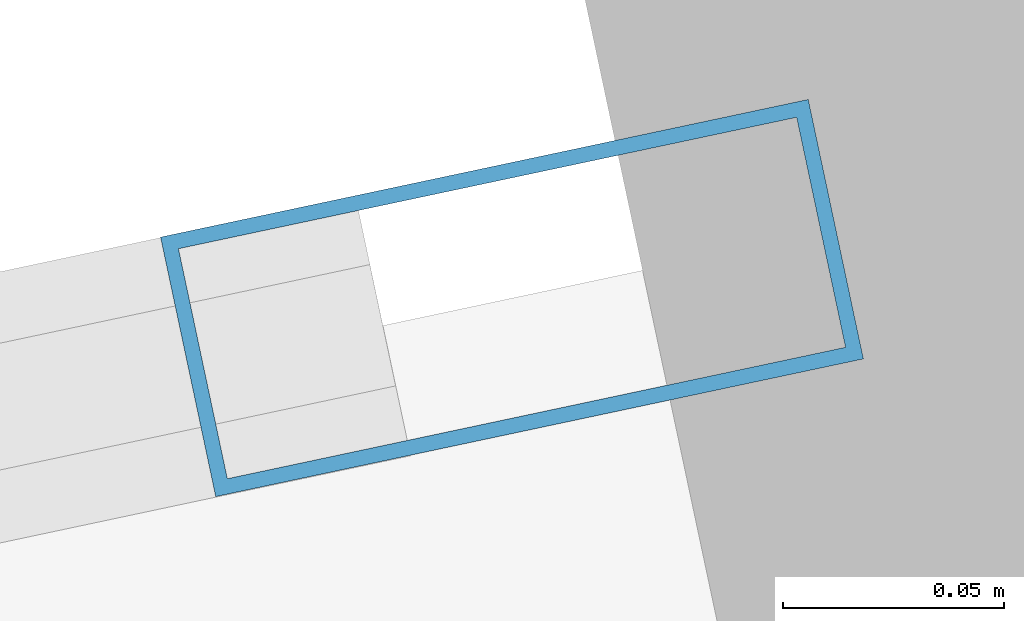
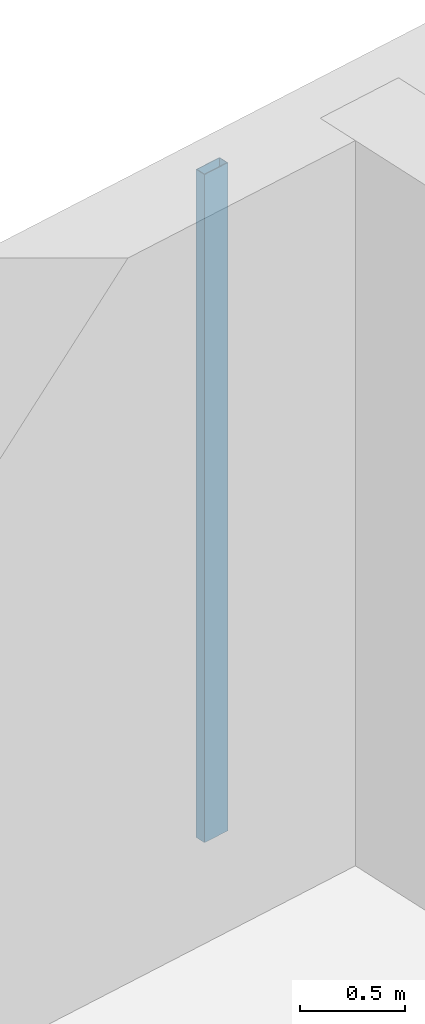
# One storey, part 8 of 22: 1 member, 1 element without a shape of its own.
"""IFC4 building model written with IfcOpenShell, lengths in metres."""

from ifc_helpers import new_model, si_unit, direction, frame, origin, origin_2d, place, context, subcontext, project, spatial, hollow_rectangle, extrude, material, layer, layer_set, material_profile, profile_set, type_object, element, aggregate, save


model = new_model("IFC4")

# Units and contexts
model_context = context("Model", 3, precision=1e-05, world=origin(), true_north=direction((0.0, 1.0)))
body_context = subcontext(model_context, "Body", "Model", "MODEL_VIEW")
ifc_project = project(units=[si_unit("LENGTHUNIT", "METRE"), si_unit("AREAUNIT", "SQUARE_METRE"), si_unit("VOLUMEUNIT", "CUBIC_METRE"), si_unit("PLANEANGLEUNIT", "RADIAN"), si_unit("MASSUNIT", "GRAM", prefix="KILO")], contexts=[model_context])

# Site, building, storey
site_placement = place(None, origin())
site = spatial("IfcSite", under=ifc_project, at=site_placement, CompositionType="ELEMENT")
building_placement = place(site_placement, origin())
building = spatial("IfcBuilding", under=site, at=building_placement, Name="Haevon Station Towers", CompositionType="ELEMENT")
storey_placement = place(building_placement, frame((0.0, 0.0, 133.800048828125)))
storey = spatial("IfcBuildingStorey", under=building, at=storey_placement, Name="L36", CompositionType="ELEMENT", Elevation=133.800048828125)

# Curtain wall, member
ifc_material_1 = material(Name="Anodised aluminium and Low-E double glazing", Category="aluminium")
ifc_layer = layer(ifc_material_1, 0.179931640625)
ifc_layer_set = layer_set([ifc_layer], Name="Anodised aluminium and Low-E double glazing")
curtain_wall_type = type_object("IfcCurtainWallType", Name="CW-SYS5", PredefinedType="NOTDEFINED", material=ifc_layer_set)
curtain_wall_placement = place(storey_placement, origin())
curtain_wall = element("IfcCurtainWall", 1, at=curtain_wall_placement, inside=storey, type_object=curtain_wall_type, Name="L36 Curtain Wall CW-T2-L36-N", PredefinedType="NOTDEFINED")
ifc_material_2 = material(Name="Anodised aluminium 6063-T6", Category="aluminium")
ifc_material_profile = material_profile(ifc_material_2, hollow_rectangle(XDim=0.06005859375, YDim=0.14990234375, WallThickness=0.00341796875, at=origin_2d()), Name="CWM-150x60x3.5")
ifc_profile_set = profile_set([ifc_material_profile], Name="Anodised aluminium 6063-T6")
member_type = type_object("IfcMemberType", Name="CWM-150", PredefinedType="MULLION", material=ifc_profile_set)
member_placement = place(storey_placement, frame((112.783203125, 50.648193359375, 0.0), z_axis=(0.0, 0.0, 1.0), x_axis=(-0.207911783211, 0.978147581095, 0.0)))
member = element("IfcMember", 2, at=member_placement, type_object=member_type, Name="CW-SYS5 mullion 3", PredefinedType="MULLION", context=body_context, shape_type="SweptSolid", body=[
    extrude(hollow_rectangle(XDim=0.06005859375, YDim=0.14990234375, WallThickness=0.00341796875, at=origin_2d()), origin(), (0.0, 0.0, 1.0), 3.869873046875),
])
aggregate(curtain_wall, [member])

save(model, "model.ifc")
